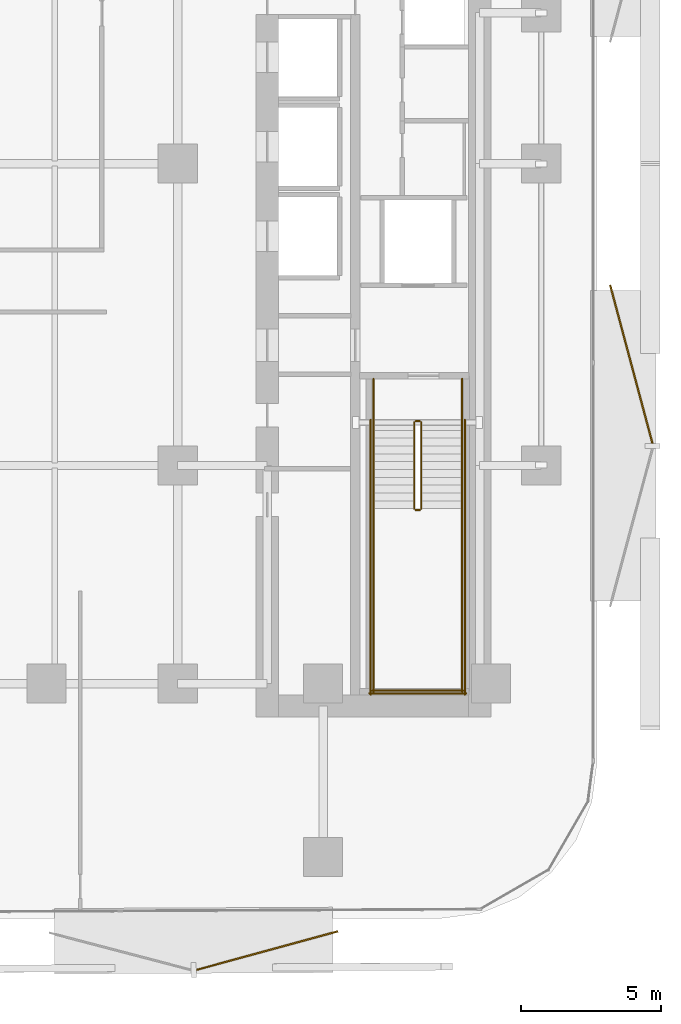
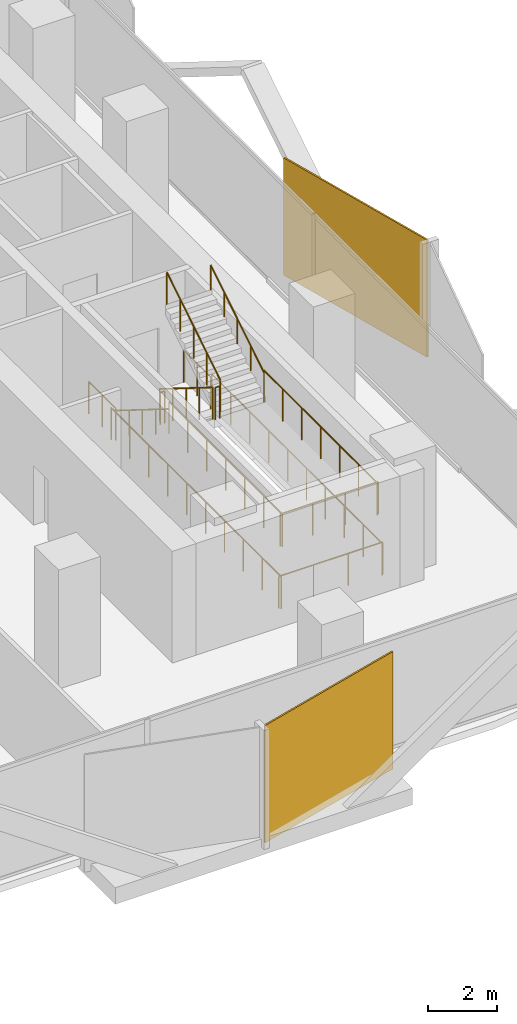
# One storey, part 13 of 15: 14 railings, 2 coverings.
"""IFC4 building model written with IfcOpenShell, lengths in metres."""

from ifc_helpers import new_model, si_unit, direction, frame, origin, origin_2d, place, context, subcontext, project, spatial, rectangle, circle, extrude, material, layer, layer_set, type_object, element, save


model = new_model("IFC4")

# Units and contexts
model_context = context("Model", 3, precision=1e-05, world=origin(), true_north=direction((0.0, 1.0)))
body_context = subcontext(model_context, "Body", "Model", "MODEL_VIEW")
ifc_project = project(units=[si_unit("LENGTHUNIT", "METRE"), si_unit("AREAUNIT", "SQUARE_METRE"), si_unit("VOLUMEUNIT", "CUBIC_METRE"), si_unit("PLANEANGLEUNIT", "RADIAN"), si_unit("MASSUNIT", "GRAM", prefix="KILO")], contexts=[model_context])

# Site, building, storey
site_placement = place(None, origin())
site = spatial("IfcSite", under=ifc_project, at=site_placement, CompositionType="ELEMENT")
building_placement = place(site_placement, origin())
building = spatial("IfcBuilding", under=site, at=building_placement, Name="Khairoan Windgate Tower", CompositionType="ELEMENT")
storey_placement = place(building_placement, frame((0.0, 0.0, 34.39990234375)))
storey = spatial("IfcBuildingStorey", under=building, at=storey_placement, Name="L08", CompositionType="ELEMENT", Elevation=34.39990234375)

# Coverings
ifc_material_1 = material(Name="Anodised Bronze Aluminium 6063-T6", Category="aluminium")
ifc_layer = layer(ifc_material_1, 0.054931640625, Name="Anodised Bronze Aluminium 6063-T6")
ifc_layer_set = layer_set([ifc_layer], Name="Anodised Bronze Aluminium 6063-T6")
covering_type = type_object("IfcCoveringType", Name="Perforated Bronze-Ceramic Folded Solar Screen Cladding BSC-1", PredefinedType="CLADDING", material=ifc_layer_set)
covering_1_placement = place(storey_placement, frame((12.39453125, -28.150390625, -0.099609375), z_axis=(0.0, 0.0, 1.0), x_axis=(-0.964649468762, -0.263536339841, 0.0)))
element("IfcCovering", 1, at=covering_1_placement, inside=storey, type_object=covering_type, Name="L08 Folded Bronze Solar Screen Facet 17L", PredefinedType="CLADDING", context=body_context, shape_type="SweptSolid", body=[
    extrude(rectangle(XDim=5.25, YDim=0.054931640625, at=origin_2d()), origin(), (0.0, 0.0, 1.0), 4.139892578125),
])
covering_2_placement = place(storey_placement, frame((25.42236328125, -7.177734375, -0.099609375), z_axis=(0.0, 0.0, 1.0), x_axis=(0.258819045103, -0.965925826289, 0.0)))
element("IfcCovering", 2, at=covering_2_placement, inside=storey, type_object=covering_type, Name="L08 Folded Bronze Solar Screen Facet 24L", PredefinedType="CLADDING", context=body_context, shape_type="SweptSolid", body=[
    extrude(rectangle(XDim=5.85498046875, YDim=0.054931640625, at=origin_2d()), origin(), (0.0, 0.0, 1.0), 4.139892578125),
])

# Railings
ifc_material_2 = material(Name="Anodised Bronze Aluminium 6063-T6", Category="aluminium")
railing_type_1 = type_object("IfcRailingType", Name="Stair Wall Handrail SHR-900", PredefinedType="HANDRAIL", material=ifc_material_2)
railing_1_placement = place(storey_placement, frame((16.199951171875, -9.260009765625, 0.175048828125)))
element("IfcRailing", 3, at=railing_1_placement, inside=storey, type_object=railing_type_1, Name="L08 ST1 stair handrail 1", PredefinedType="HANDRAIL", context=body_context, shape_type="SweptSolid", body=[
    extrude(circle(Radius=0.02392578125, at=origin_2d()), frame((0.0, 0.0, 0.8759765625), z_axis=(0.0, -0.847998304005, 0.529998940003), x_axis=(1.0, 0.0, 0.0)), (0.0, 0.0, 1.0), 3.632080078125),
    extrude(circle(Radius=0.02099609375, at=origin_2d()), origin(), (0.0, 0.0, 1.0), 0.851806640625),
    extrude(circle(Radius=0.02099609375, at=origin_2d()), frame((0.0, -0.77001953125, 0.481201171875)), (0.0, 0.0, 1.0), 0.851806640625),
    extrude(circle(Radius=0.02099609375, at=origin_2d()), frame((0.0, -1.5400390625, 0.96240234375)), (0.0, 0.0, 1.0), 0.851806640625),
    extrude(circle(Radius=0.02099609375, at=origin_2d()), frame((0.0, -2.31005859375, 1.44384765625)), (0.0, 0.0, 1.0), 0.851806640625),
    extrude(circle(Radius=0.02099609375, at=origin_2d()), frame((0.0, -3.080078125, 1.925048828125)), (0.0, 0.0, 1.0), 0.851806640625),
])
railing_2_placement = place(storey_placement, frame((19.3701171875, -12.340087890625, 2.275146484375)))
element("IfcRailing", 4, at=railing_2_placement, inside=storey, type_object=railing_type_1, Name="L08 ST1 stair handrail 2", PredefinedType="HANDRAIL", context=body_context, shape_type="SweptSolid", body=[
    extrude(circle(Radius=0.02392578125, at=origin_2d()), frame((0.0, 0.0, 0.8759765625), z_axis=(0.0, 0.847998304005, 0.529998940003), x_axis=(-1.0, 0.0, 0.0)), (0.0, 0.0, 1.0), 3.632080078125),
    extrude(circle(Radius=0.02099609375, at=origin_2d()), origin(), (0.0, 0.0, 1.0), 0.851806640625),
    extrude(circle(Radius=0.02099609375, at=origin_2d()), frame((0.0, 0.77001953125, 0.481201171875)), (0.0, 0.0, 1.0), 0.851806640625),
    extrude(circle(Radius=0.02099609375, at=origin_2d()), frame((0.0, 1.5400390625, 0.96240234375)), (0.0, 0.0, 1.0), 0.851806640625),
    extrude(circle(Radius=0.02099609375, at=origin_2d()), frame((0.0, 2.31005859375, 1.44384765625)), (0.0, 0.0, 1.0), 0.851806640625),
    extrude(circle(Radius=0.02099609375, at=origin_2d()), frame((0.0, 3.080078125, 1.925048828125)), (0.0, 0.0, 1.0), 0.851806640625),
])
ifc_material_3 = material(Name="Steel S355", Category="steel")
railing_type_2 = type_object("IfcRailingType", Name="Stairwell Safety Guardrail SGR-1150", PredefinedType="GUARDRAIL", material=ifc_material_3)
railing_3_placement = place(storey_placement, frame((17.659912109375, -9.260009765625, 0.175048828125)))
element("IfcRailing", 5, at=railing_3_placement, inside=storey, type_object=railing_type_2, Name="L08 ST1 stair guard 1", PredefinedType="GUARDRAIL", context=body_context, shape_type="SweptSolid", body=[
    extrude(circle(Radius=0.02392578125, at=origin_2d()), frame((0.0, 0.0, 1.1259765625), z_axis=(0.0, -0.847998304005, 0.529998940003), x_axis=(1.0, 0.0, 0.0)), (0.0, 0.0, 1.0), 3.632080078125),
    extrude(circle(Radius=0.02099609375, at=origin_2d()), origin(), (0.0, 0.0, 1.0), 1.101806640625),
    extrude(circle(Radius=0.02099609375, at=origin_2d()), frame((0.0, -0.77001953125, 0.481201171875)), (0.0, 0.0, 1.0), 1.101806640625),
    extrude(circle(Radius=0.02099609375, at=origin_2d()), frame((0.0, -1.5400390625, 0.96240234375)), (0.0, 0.0, 1.0), 1.101806640625),
    extrude(circle(Radius=0.02099609375, at=origin_2d()), frame((0.0, -2.31005859375, 1.44384765625)), (0.0, 0.0, 1.0), 1.101806640625),
    extrude(circle(Radius=0.02099609375, at=origin_2d()), frame((0.0, -3.080078125, 1.925048828125)), (0.0, 0.0, 1.0), 1.101806640625),
])
railing_4_placement = place(storey_placement, frame((17.7099609375, -12.389892578125, 2.10009765625)))
element("IfcRailing", 6, at=railing_4_placement, inside=storey, type_object=railing_type_2, Name="L08 ST1 stair guard 2", PredefinedType="GUARDRAIL", context=body_context, shape_type="SweptSolid", body=[
    extrude(circle(Radius=0.02392578125, at=origin_2d()), frame((0.0, 0.0, 1.1259765625), z_axis=(1.0, 0.0, 0.0), x_axis=(0.0, 1.0, 0.0)), (0.0, 0.0, 1.0), 0.150146484375),
    extrude(circle(Radius=0.02099609375, at=origin_2d()), origin(), (0.0, 0.0, 1.0), 1.101806640625),
    extrude(circle(Radius=0.02099609375, at=origin_2d()), frame((0.150146484375, 0.0, 0.0)), (0.0, 0.0, 1.0), 1.101806640625),
])
for number, where, name in (
    (7, (16.199951171875, -12.340087890625, 2.10009765625), "L08 ST1 stair guard 3"),
    (8, (19.3701171875, -12.340087890625, 2.10009765625), "L08 ST1 stair guard 4"),
):
    element("IfcRailing", number, at=place(storey_placement, frame(where)), inside=storey, type_object=railing_type_2, Name=name, PredefinedType="GUARDRAIL", context=body_context, shape_type="SweptSolid", body=[
        extrude(circle(Radius=0.02392578125, at=origin_2d()), frame((0.0, 0.0, 1.1259765625), z_axis=(0.0, -1.0, 0.0), x_axis=(1.0, 0.0, 0.0)), (0.0, 0.0, 1.0), 6.559814453125),
        extrude(circle(Radius=0.02099609375, at=origin_2d()), origin(), (0.0, 0.0, 1.0), 1.101806640625),
        extrude(circle(Radius=0.02099609375, at=origin_2d()), frame((0.0, -1.09326171875, 0.0)), (0.0, 0.0, 1.0), 1.101806640625),
        extrude(circle(Radius=0.02099609375, at=origin_2d()), frame((0.0, -2.1865234375, 0.0)), (0.0, 0.0, 1.0), 1.101806640625),
        extrude(circle(Radius=0.02099609375, at=origin_2d()), frame((0.0, -3.27978515625, 0.0)), (0.0, 0.0, 1.0), 1.101806640625),
        extrude(circle(Radius=0.02099609375, at=origin_2d()), frame((0.0, -4.373291015625, 0.0)), (0.0, 0.0, 1.0), 1.101806640625),
        extrude(circle(Radius=0.02099609375, at=origin_2d()), frame((0.0, -5.466552734375, 0.0)), (0.0, 0.0, 1.0), 1.101806640625),
        extrude(circle(Radius=0.02099609375, at=origin_2d()), frame((0.0, -6.559814453125, 0.0)), (0.0, 0.0, 1.0), 1.101806640625),
    ])
railing_5_placement = place(storey_placement, frame((16.14990234375, -18.85009765625, 2.10009765625)))
element("IfcRailing", 9, at=railing_5_placement, inside=storey, type_object=railing_type_2, Name="L08 ST1 stair guard 5", PredefinedType="GUARDRAIL", context=body_context, shape_type="SweptSolid", body=[
    extrude(circle(Radius=0.02392578125, at=origin_2d()), frame((0.0, 0.0, 1.1259765625), z_axis=(1.0, 0.0, 0.0), x_axis=(0.0, 1.0, 0.0)), (0.0, 0.0, 1.0), 3.27001953125),
    extrude(circle(Radius=0.02099609375, at=origin_2d()), origin(), (0.0, 0.0, 1.0), 1.101806640625),
    extrude(circle(Radius=0.02099609375, at=origin_2d()), frame((1.090087890625, 0.0, 0.0)), (0.0, 0.0, 1.0), 1.101806640625),
    extrude(circle(Radius=0.02099609375, at=origin_2d()), frame((2.179931640625, 0.0, 0.0)), (0.0, 0.0, 1.0), 1.101806640625),
    extrude(circle(Radius=0.02099609375, at=origin_2d()), frame((3.27001953125, 0.0, 0.0)), (0.0, 0.0, 1.0), 1.101806640625),
])
railing_6_placement = place(storey_placement, frame((17.909912109375, -12.340087890625, 2.275146484375)))
element("IfcRailing", 10, at=railing_6_placement, inside=storey, type_object=railing_type_2, Name="L08 ST1 stair guard 6", PredefinedType="GUARDRAIL", context=body_context, shape_type="SweptSolid", body=[
    extrude(circle(Radius=0.02392578125, at=origin_2d()), frame((0.0, 0.0, 1.1259765625), z_axis=(0.0, 0.847998304005, 0.529998940003), x_axis=(-1.0, 0.0, 0.0)), (0.0, 0.0, 1.0), 3.632080078125),
    extrude(circle(Radius=0.02099609375, at=origin_2d()), origin(), (0.0, 0.0, 1.0), 1.101806640625),
    extrude(circle(Radius=0.02099609375, at=origin_2d()), frame((0.0, 0.77001953125, 0.481201171875)), (0.0, 0.0, 1.0), 1.101806640625),
    extrude(circle(Radius=0.02099609375, at=origin_2d()), frame((0.0, 1.5400390625, 0.96240234375)), (0.0, 0.0, 1.0), 1.101806640625),
    extrude(circle(Radius=0.02099609375, at=origin_2d()), frame((0.0, 2.31005859375, 1.44384765625)), (0.0, 0.0, 1.0), 1.101806640625),
    extrude(circle(Radius=0.02099609375, at=origin_2d()), frame((0.0, 3.080078125, 1.925048828125)), (0.0, 0.0, 1.0), 1.101806640625),
])
railing_7_placement = place(storey_placement, frame((17.7099609375, -9.2099609375, 0.0)))
element("IfcRailing", 11, at=railing_7_placement, inside=storey, type_object=railing_type_2, Name="L08 ST1 stair guard 7", PredefinedType="GUARDRAIL", context=body_context, shape_type="SweptSolid", body=[
    extrude(circle(Radius=0.02392578125, at=origin_2d()), frame((0.0, 0.0, 1.1259765625), z_axis=(1.0, 0.0, 0.0), x_axis=(0.0, 1.0, 0.0)), (0.0, 0.0, 1.0), 0.150146484375),
    extrude(circle(Radius=0.02099609375, at=origin_2d()), origin(), (0.0, 0.0, 1.0), 1.101806640625),
    extrude(circle(Radius=0.02099609375, at=origin_2d()), frame((0.150146484375, 0.0, 0.0)), (0.0, 0.0, 1.0), 1.101806640625),
])
for number, where, name in (
    (12, (16.199951171875, -7.699951171875, 0.0), "L08 ST1 stair guard 8"),
    (13, (19.3701171875, -7.699951171875, 0.0), "L08 ST1 stair guard 9"),
):
    element("IfcRailing", number, at=place(storey_placement, frame(where)), inside=storey, type_object=railing_type_2, Name=name, PredefinedType="GUARDRAIL", context=body_context, shape_type="SweptSolid", body=[
        extrude(circle(Radius=0.02392578125, at=origin_2d()), frame((0.0, 0.0, 1.1259765625), z_axis=(0.0, -1.0, 0.0), x_axis=(1.0, 0.0, 0.0)), (0.0, 0.0, 1.0), 1.56005859375),
        extrude(circle(Radius=0.02099609375, at=origin_2d()), origin(), (0.0, 0.0, 1.0), 1.101806640625),
        extrude(circle(Radius=0.02099609375, at=origin_2d()), frame((0.0, -0.780029296875, 0.0)), (0.0, 0.0, 1.0), 1.101806640625),
        extrude(circle(Radius=0.02099609375, at=origin_2d()), frame((0.0, -1.56005859375, 0.0)), (0.0, 0.0, 1.0), 1.101806640625),
    ])
for number, where, name in (
    (14, (16.10009765625, -9.159912109375, 0.0), "L08 ST1 stair guard 10"),
    (15, (19.469970703125, -9.159912109375, 0.0), "L08 ST1 stair guard 11"),
):
    element("IfcRailing", number, at=place(storey_placement, frame(where)), inside=storey, type_object=railing_type_2, Name=name, PredefinedType="GUARDRAIL", context=body_context, shape_type="SweptSolid", body=[
        extrude(circle(Radius=0.02392578125, at=origin_2d()), frame((0.0, 0.0, 1.1259765625), z_axis=(0.0, -1.0, 0.0), x_axis=(1.0, 0.0, 0.0)), (0.0, 0.0, 1.0), 9.840087890625),
        extrude(circle(Radius=0.02099609375, at=origin_2d()), origin(), (0.0, 0.0, 1.0), 1.101806640625),
        extrude(circle(Radius=0.02099609375, at=origin_2d()), frame((0.0, -1.09326171875, 0.0)), (0.0, 0.0, 1.0), 1.101806640625),
        extrude(circle(Radius=0.02099609375, at=origin_2d()), frame((0.0, -2.186767578125, 0.0)), (0.0, 0.0, 1.0), 1.101806640625),
        extrude(circle(Radius=0.02099609375, at=origin_2d()), frame((0.0, -3.280029296875, 0.0)), (0.0, 0.0, 1.0), 1.101806640625),
        extrude(circle(Radius=0.02099609375, at=origin_2d()), frame((0.0, -4.373291015625, 0.0)), (0.0, 0.0, 1.0), 1.101806640625),
        extrude(circle(Radius=0.02099609375, at=origin_2d()), frame((0.0, -5.466796875, 0.0)), (0.0, 0.0, 1.0), 1.101806640625),
        extrude(circle(Radius=0.02099609375, at=origin_2d()), frame((0.0, -6.56005859375, 0.0)), (0.0, 0.0, 1.0), 1.101806640625),
        extrude(circle(Radius=0.02099609375, at=origin_2d()), frame((0.0, -7.6533203125, 0.0)), (0.0, 0.0, 1.0), 1.101806640625),
        extrude(circle(Radius=0.02099609375, at=origin_2d()), frame((0.0, -8.746826171875, 0.0)), (0.0, 0.0, 1.0), 1.101806640625),
        extrude(circle(Radius=0.02099609375, at=origin_2d()), frame((0.0, -9.840087890625, 0.0)), (0.0, 0.0, 1.0), 1.101806640625),
    ])
railing_8_placement = place(storey_placement, frame((16.050048828125, -18.949951171875, 0.0)))
element("IfcRailing", 16, at=railing_8_placement, inside=storey, type_object=railing_type_2, Name="L08 ST1 stair guard 12", PredefinedType="GUARDRAIL", context=body_context, shape_type="SweptSolid", body=[
    extrude(circle(Radius=0.02392578125, at=origin_2d()), frame((0.0, 0.0, 1.1259765625), z_axis=(1.0, 0.0, 0.0), x_axis=(0.0, 1.0, 0.0)), (0.0, 0.0, 1.0), 3.469970703125),
    extrude(circle(Radius=0.02099609375, at=origin_2d()), origin(), (0.0, 0.0, 1.0), 1.101806640625),
    extrude(circle(Radius=0.02099609375, at=origin_2d()), frame((1.15673828125, 0.0, 0.0)), (0.0, 0.0, 1.0), 1.101806640625),
    extrude(circle(Radius=0.02099609375, at=origin_2d()), frame((2.313232421875, 0.0, 0.0)), (0.0, 0.0, 1.0), 1.101806640625),
    extrude(circle(Radius=0.02099609375, at=origin_2d()), frame((3.469970703125, 0.0, 0.0)), (0.0, 0.0, 1.0), 1.101806640625),
])

save(model, "model.ifc")
